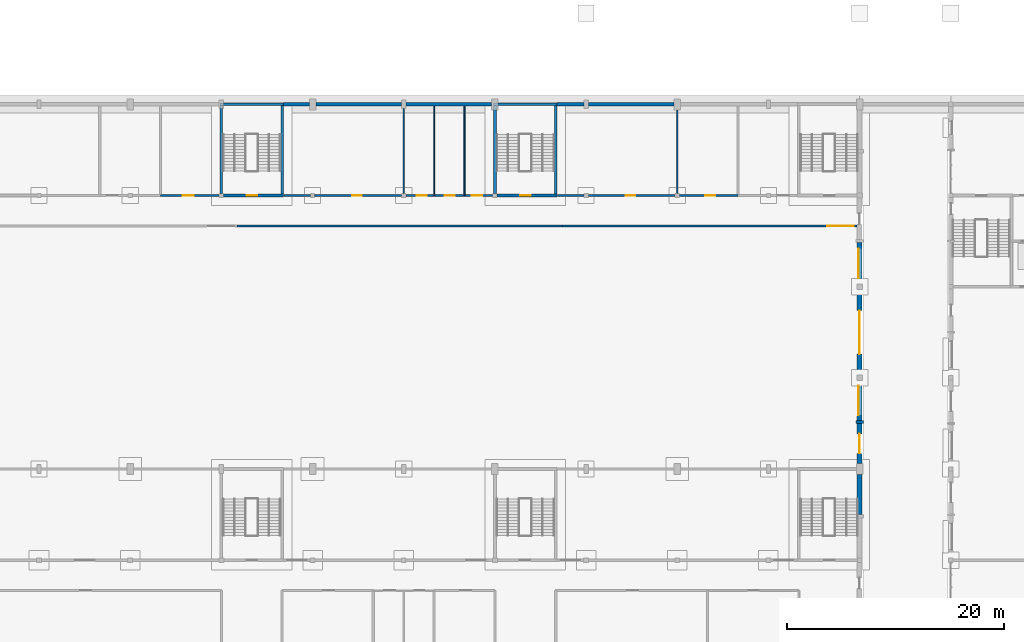
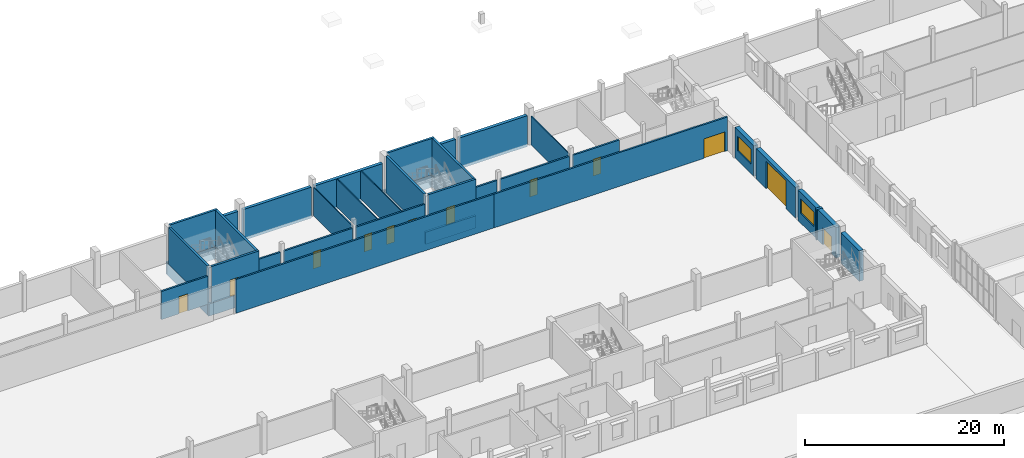
# One storey, part 22 of 36: 40 walls, 12 doors, 2 windows, 14 openings.
"""IFC4 building model written with IfcOpenShell, lengths in metres."""

from ifc_helpers import new_model, si_unit, direction, frame, frame_2d, origin, place, context, subcontext, project, spatial, rectangle, extrude, material, layer, layer_set, type_object, element, fill, save


model = new_model("IFC4")

# Units and contexts
model_context = context("Model", 3, precision=1e-05, world=origin(), true_north=direction((0.0, 1.0)))
body_context = subcontext(model_context, "Body", "Model", "MODEL_VIEW")
ifc_project = project(units=[si_unit("LENGTHUNIT", "METRE"), si_unit("AREAUNIT", "SQUARE_METRE"), si_unit("VOLUMEUNIT", "CUBIC_METRE"), si_unit("PLANEANGLEUNIT", "RADIAN"), si_unit("MASSUNIT", "GRAM", prefix="KILO")], contexts=[model_context])

# Site, building, storey
site_placement = place(None, origin())
site = spatial("IfcSite", under=ifc_project, at=site_placement, CompositionType="ELEMENT")
building_placement = place(site_placement, origin())
building = spatial("IfcBuilding", under=site, at=building_placement, Name="Fescue Hill Polytechnic", CompositionType="ELEMENT")
storey_placement = place(building_placement, origin())
storey = spatial("IfcBuildingStorey", under=building, at=storey_placement, Name="L00", CompositionType="ELEMENT", Elevation=0.0)

# Wall, opening, door
ifc_material_1 = material(Name="Concrete 40 MPa", Category="concrete")
ifc_layer_1 = layer(ifc_material_1, 0.25)
ifc_layer_set_1 = layer_set([ifc_layer_1], Name="Concrete 40 MPa")
wall_type_1 = type_object("IfcWallType", Name="Core wall 250", PredefinedType="SHEAR", material=ifc_layer_set_1)
wall_1_placement = place(storey_placement, frame((59.0, 42.0, 0.0), z_axis=(0.0, 0.0, 1.0), x_axis=(1.0, 0.0, 0.0)))
wall_1 = element("IfcWall", 1, at=wall_1_placement, inside=storey, type_object=wall_type_1, Name="CW-L00-ST-V1-7-11", PredefinedType="SHEAR", context=body_context, shape_type="SweptSolid", body=[
    extrude(rectangle(XDim=5.52490234375, YDim=0.25, at=frame_2d((2.762451171875, 0.0))), origin(), (0.0, 0.0, 1.0), 4.5),
])
opening_1_placement = place(wall_1_placement, frame((2.125, 0.0, 0.0)))
opening_1 = element("IfcOpeningElement", 2, at=opening_1_placement, cuts=wall_1, Name="Opening D0077", PredefinedType="OPENING", context=body_context, shape_type="SweptSolid", body=[
    extrude(rectangle(XDim=1.0, YDim=2.10009765625, at=frame_2d((0.5, 1.050048828125))), frame((0.0, 0.135009765625, 0.0), z_axis=(0.0, -1.0, 0.0), x_axis=(1.0, 0.0, 0.0)), (0.0, 0.0, 1.0), 0.27001953125),
])
ifc_material_2 = material(Name="Steel fire door", Category="steel")
door_type_1 = type_object("IfcDoorType", Name="Door single swing 1000x2100 stair fire rated", OperationType="NOTDEFINED", PredefinedType="DOOR", material=ifc_material_2)
door_1_placement = place(opening_1_placement, origin())
door_1 = element("IfcDoor", 3, at=door_1_placement, inside=storey, type_object=door_type_1, Name="L00 ST-V1-7 stair door", OperationType="SINGLE_SWING_RIGHT", OverallHeight=2.10009765625, OverallWidth=1.0, PredefinedType="DOOR", context=body_context, shape_type="SweptSolid", body=[
    extrude(rectangle(XDim=1.0, YDim=2.10009765625, at=frame_2d((0.5, 1.050048828125))), frame((0.0, 0.02490234375, 0.0), z_axis=(0.0, -1.0, 0.0), x_axis=(1.0, 0.0, 0.0)), (0.0, 0.0, 1.0), 0.050048828125),
])
fill(opening_1, door_1)

# Walls
wall_2_placement = place(storey_placement, frame((59.0, 50.39990234375, 0.0), z_axis=(0.0, 0.0, 1.0), x_axis=(1.0, 0.0, 0.0)))
element("IfcWall", 4, at=wall_2_placement, inside=storey, type_object=wall_type_1, Name="CW-L00-ST-V1-7-21", PredefinedType="SHEAR", context=body_context, shape_type="SweptSolid", body=[
    extrude(rectangle(XDim=5.52490234375, YDim=0.25, at=frame_2d((2.762451171875, 0.0))), origin(), (0.0, 0.0, 1.0), 4.5),
])
wall_3_placement = place(storey_placement, frame((58.800048828125, 42.199951171875, 0.0), z_axis=(0.0, 0.0, 1.0), x_axis=(0.0, 1.0, 0.0)))
element("IfcWall", 5, at=wall_3_placement, inside=storey, type_object=wall_type_1, Name="CW-L00-ST-V1-7-31", PredefinedType="SHEAR", context=body_context, shape_type="SweptSolid", body=[
    extrude(rectangle(XDim=7.800048828125, YDim=0.25, at=frame_2d((3.89990234375, 0.0))), origin(), (0.0, 0.0, 1.0), 4.5),
])
wall_4_placement = place(storey_placement, frame((64.39990234375, 42.125, 0.0), z_axis=(0.0, 0.0, 1.0), x_axis=(0.0, 1.0, 0.0)))
element("IfcWall", 6, at=wall_4_placement, inside=storey, type_object=wall_type_1, Name="CW-L00-ST-V1-7-41", PredefinedType="SHEAR", context=body_context, shape_type="SweptSolid", body=[
    extrude(rectangle(XDim=8.14990234375, YDim=0.25, at=frame_2d((4.074951171875, 0.0))), origin(), (0.0, 0.0, 1.0), 4.5),
])

# Wall, opening, door
wall_5_placement = place(storey_placement, frame((84.199951171875, 42.0, 0.0), z_axis=(0.0, 0.0, 1.0), x_axis=(1.0, 0.0, 0.0)))
wall_5 = element("IfcWall", 7, at=wall_5_placement, inside=storey, type_object=wall_type_1, Name="CW-L00-ST-V1-8-11", PredefinedType="SHEAR", context=body_context, shape_type="SweptSolid", body=[
    extrude(rectangle(XDim=5.525146484375, YDim=0.25, at=frame_2d((2.7626953125, 0.0))), origin(), (0.0, 0.0, 1.0), 4.5),
])
opening_2_placement = place(wall_5_placement, frame((2.125, 0.0, 0.0)))
opening_2 = element("IfcOpeningElement", 8, at=opening_2_placement, cuts=wall_5, Name="Opening D0078", PredefinedType="OPENING", context=body_context, shape_type="SweptSolid", body=[
    extrude(rectangle(XDim=1.0, YDim=2.10009765625, at=frame_2d((0.5, 1.050048828125))), frame((0.0, 0.135009765625, 0.0), z_axis=(0.0, -1.0, 0.0), x_axis=(1.0, 0.0, 0.0)), (0.0, 0.0, 1.0), 0.27001953125),
])
door_2_placement = place(opening_2_placement, origin())
door_2 = element("IfcDoor", 9, at=door_2_placement, inside=storey, type_object=door_type_1, Name="L00 ST-V1-8 stair door", OperationType="SINGLE_SWING_LEFT", OverallHeight=2.10009765625, OverallWidth=1.0, PredefinedType="DOOR", context=body_context, shape_type="SweptSolid", body=[
    extrude(rectangle(XDim=1.0, YDim=2.10009765625, at=frame_2d((0.5, 1.050048828125))), frame((0.0, 0.02490234375, 0.0), z_axis=(0.0, -1.0, 0.0), x_axis=(1.0, 0.0, 0.0)), (0.0, 0.0, 1.0), 0.050048828125),
])
fill(opening_2, door_2)

# Walls
wall_6_placement = place(storey_placement, frame((84.300048828125, 50.39990234375, 0.0), z_axis=(0.0, 0.0, 1.0), x_axis=(1.0, 0.0, 0.0)))
element("IfcWall", 10, at=wall_6_placement, inside=storey, type_object=wall_type_1, Name="CW-L00-ST-V1-8-21", PredefinedType="SHEAR", context=body_context, shape_type="SweptSolid", body=[
    extrude(rectangle(XDim=5.425048828125, YDim=0.25, at=frame_2d((2.71240234375, 0.0))), origin(), (0.0, 0.0, 1.0), 4.5),
])
wall_7_placement = place(storey_placement, frame((84.0, 42.199951171875, 0.0), z_axis=(0.0, 0.0, 1.0), x_axis=(0.0, 1.0, 0.0)))
element("IfcWall", 11, at=wall_7_placement, inside=storey, type_object=wall_type_1, Name="CW-L00-ST-V1-8-31", PredefinedType="SHEAR", context=body_context, shape_type="SweptSolid", body=[
    extrude(rectangle(XDim=7.699951171875, YDim=0.25, at=frame_2d((3.85009765625, 0.0))), origin(), (0.0, 0.0, 1.0), 4.5),
])
wall_8_placement = place(storey_placement, frame((89.60009765625, 42.125, 0.0), z_axis=(0.0, 0.0, 1.0), x_axis=(0.0, 1.0, 0.0)))
element("IfcWall", 12, at=wall_8_placement, inside=storey, type_object=wall_type_1, Name="CW-L00-ST-V1-8-41", PredefinedType="SHEAR", context=body_context, shape_type="SweptSolid", body=[
    extrude(rectangle(XDim=8.14990234375, YDim=0.25, at=frame_2d((4.074951171875, 0.0))), origin(), (0.0, 0.0, 1.0), 4.5),
])
for number, where, z_axis, x_axis, name in (
    (13, (58.675048828125, 42.0, -1.5), (0.0, 0.0, 1.0), (1.0, 0.0, 0.0), "FW-ST-V1-7-1"),
    (14, (58.675048828125, 50.39990234375, -1.5), (0.0, 0.0, 1.0), (1.0, 0.0, 0.0), "FW-ST-V1-7-2"),
):
    element("IfcWall", number, at=place(storey_placement, frame(where, z_axis=z_axis, x_axis=x_axis)), inside=storey, type_object=wall_type_1, Name=name, PredefinedType="SHEAR", context=body_context, shape_type="SweptSolid", body=[
        extrude(rectangle(XDim=5.849853515625, YDim=0.25, at=frame_2d((2.9248046875, 0.0))), origin(), (0.0, 0.0, 1.0), 1.5),
    ])
for number, where, z_axis, x_axis, name in (
    (15, (58.800048828125, 42.125, -1.5), (0.0, 0.0, 1.0), (0.0, 1.0, 0.0), "FW-ST-V1-7-3"),
    (16, (64.39990234375, 42.125, -1.5), (0.0, 0.0, 1.0), (0.0, 1.0, 0.0), "FW-ST-V1-7-4"),
):
    element("IfcWall", number, at=place(storey_placement, frame(where, z_axis=z_axis, x_axis=x_axis)), inside=storey, type_object=wall_type_1, Name=name, PredefinedType="SHEAR", context=body_context, shape_type="SweptSolid", body=[
        extrude(rectangle(XDim=8.14990234375, YDim=0.25, at=frame_2d((4.074951171875, 0.0))), origin(), (0.0, 0.0, 1.0), 1.5),
    ])
for number, where, z_axis, x_axis, name in (
    (17, (83.875, 42.0, -1.5), (0.0, 0.0, 1.0), (1.0, 0.0, 0.0), "FW-ST-V1-8-1"),
    (18, (83.875, 50.39990234375, -1.5), (0.0, 0.0, 1.0), (1.0, 0.0, 0.0), "FW-ST-V1-8-2"),
):
    element("IfcWall", number, at=place(storey_placement, frame(where, z_axis=z_axis, x_axis=x_axis)), inside=storey, type_object=wall_type_1, Name=name, PredefinedType="SHEAR", context=body_context, shape_type="SweptSolid", body=[
        extrude(rectangle(XDim=5.85009765625, YDim=0.25, at=frame_2d((2.925048828125, 0.0))), origin(), (0.0, 0.0, 1.0), 1.5),
    ])
for number, where, z_axis, x_axis, name in (
    (19, (84.0, 42.125, -1.5), (0.0, 0.0, 1.0), (0.0, 1.0, 0.0), "FW-ST-V1-8-3"),
    (20, (89.60009765625, 42.125, -1.5), (0.0, 0.0, 1.0), (0.0, 1.0, 0.0), "FW-ST-V1-8-4"),
):
    element("IfcWall", number, at=place(storey_placement, frame(where, z_axis=z_axis, x_axis=x_axis)), inside=storey, type_object=wall_type_1, Name=name, PredefinedType="SHEAR", context=body_context, shape_type="SweptSolid", body=[
        extrude(rectangle(XDim=8.14990234375, YDim=0.25, at=frame_2d((4.074951171875, 0.0))), origin(), (0.0, 0.0, 1.0), 1.5),
    ])

# Wall, opening, door
ifc_material_3 = material(Name="Clay brick masonry", Category="masonry")
ifc_layer_2 = layer(ifc_material_3, 0.47998046875)
ifc_layer_set_2 = layer_set([ifc_layer_2], Name="Clay brick masonry")
wall_type_2 = type_object("IfcWallType", Name="Exterior wall engineering brick cavity 480", PredefinedType="SOLIDWALL", material=ifc_layer_set_2)
wall_9_placement = place(storey_placement, frame((117.60009765625, 17.300048828125, 0.0), z_axis=(0.0, 0.0, 1.0), x_axis=(0.0, 1.0, 0.0)))
wall_9 = element("IfcWall", 21, at=wall_9_placement, inside=storey, type_object=wall_type_2, Name="EW-L00-V1-5", PredefinedType="SOLIDWALL", context=body_context, shape_type="SweptSolid", body=[
    extrude(rectangle(XDim=3.675048828125, YDim=0.47998046875, at=frame_2d((1.83740234375, 0.0))), origin(), (0.0, 0.0, 1.0), 3.75),
])
opening_3_placement = place(wall_9_placement, frame((0.9375, 0.0, 0.0)))
opening_3 = element("IfcOpeningElement", 22, at=opening_3_placement, cuts=wall_9, Name="Opening D0002", PredefinedType="OPENING", context=body_context, shape_type="SweptSolid", body=[
    extrude(rectangle(XDim=1.800048828125, YDim=2.10009765625, at=frame_2d((0.89990234375, 1.050048828125))), frame((0.0, 0.25, 0.0), z_axis=(0.0, -1.0, 0.0), x_axis=(1.0, 0.0, 0.0)), (0.0, 0.0, 1.0), 0.5),
])
ifc_material_4 = material(Name="Hollow metal")
door_type_2 = type_object("IfcDoorType", Name="Door exit double 1800x2100 fire rated", OperationType="DOUBLE_DOOR_SINGLE_SWING", PredefinedType="DOOR", material=ifc_material_4)
door_3_placement = place(opening_3_placement, origin())
door_3 = element("IfcDoor", 23, at=door_3_placement, inside=storey, type_object=door_type_2, Name="Door D0002", OperationType="SINGLE_SWING_LEFT", OverallHeight=2.10009765625, OverallWidth=1.800048828125, PredefinedType="DOOR", context=body_context, shape_type="SweptSolid", body=[
    extrude(rectangle(XDim=1.800048828125, YDim=2.10009765625, at=frame_2d((0.89990234375, 1.050048828125))), frame((0.0, 0.02490234375, 0.0), z_axis=(0.0, -1.0, 0.0), x_axis=(1.0, 0.0, 0.0)), (0.0, 0.0, 1.0), 0.050048828125),
])
fill(opening_3, door_3)

# Wall, opening, window
wall_10_placement = place(storey_placement, frame((117.60009765625, 21.27490234375, 0.0), z_axis=(0.0, 0.0, 1.0), x_axis=(0.0, 1.0, 0.0)))
wall_10 = element("IfcWall", 24, at=wall_10_placement, inside=storey, type_object=wall_type_2, Name="EW-L00-V1-6", PredefinedType="SOLIDWALL", context=body_context, shape_type="SweptSolid", body=[
    extrude(rectangle(XDim=3.675048828125, YDim=0.47998046875, at=frame_2d((1.83740234375, 0.0))), origin(), (0.0, 0.0, 1.0), 3.75),
])
opening_4_placement = place(wall_10_placement, frame((0.487548828125, 0.0, 1.199951171875)))
opening_4 = element("IfcOpeningElement", 25, at=opening_4_placement, cuts=wall_10, Name="Opening W15", PredefinedType="OPENING", context=body_context, shape_type="SweptSolid", body=[
    extrude(rectangle(XDim=2.699951171875, YDim=1.800048828125, at=frame_2d((1.35009765625, 0.89990234375))), frame((0.0, 0.25, 0.0), z_axis=(0.0, -1.0, 0.0), x_axis=(1.0, 0.0, 0.0)), (0.0, 0.0, 1.0), 0.5),
])
ifc_material_5 = material(Name="Powder-coated aluminium and glass", Category="aluminium")
window_type = type_object("IfcWindowType", Name="Window workshop bench-level 2700x1800", PartitioningType="TRIPLE_PANEL_VERTICAL", PredefinedType="WINDOW", material=ifc_material_5)
window_1_placement = place(opening_4_placement, origin())
window_1 = element("IfcWindow", 26, at=window_1_placement, inside=storey, type_object=window_type, Name="WN-L00-V1-2", OverallHeight=1.800048828125, OverallWidth=2.699951171875, PartitioningType="SINGLE_PANEL", PredefinedType="WINDOW", context=body_context, shape_type="SweptSolid", body=[
    extrude(rectangle(XDim=2.699951171875, YDim=1.800048828125, at=frame_2d((1.35009765625, 0.89990234375))), frame((0.0, 0.1201171875, 0.0), z_axis=(0.0, -1.0, 0.0), x_axis=(1.0, 0.0, 0.0)), (0.0, 0.0, 1.0), 0.06005859375),
])
fill(opening_4, window_1)

# Wall, opening, door
wall_11_placement = place(storey_placement, frame((117.60009765625, 25.449951171875, 0.0), z_axis=(0.0, 0.0, 1.0), x_axis=(0.0, 1.0, 0.0)))
wall_11 = element("IfcWall", 27, at=wall_11_placement, inside=storey, type_object=wall_type_2, Name="EW-L00-V1-7", PredefinedType="SOLIDWALL", context=body_context, shape_type="SweptSolid", body=[
    extrude(rectangle(XDim=7.900146484375, YDim=0.47998046875, at=frame_2d((3.9501953125, 0.0))), origin(), (0.0, 0.0, 1.0), 3.75),
])
opening_5_placement = place(wall_11_placement, frame((1.949951171875, 0.0, 0.0)))
opening_5 = element("IfcOpeningElement", 28, at=opening_5_placement, cuts=wall_11, Name="Opening D0003", PredefinedType="OPENING", context=body_context, shape_type="SweptSolid", body=[
    extrude(rectangle(XDim=4.0, YDim=3.39990234375, at=frame_2d((2.0, 1.699951171875))), frame((0.0, 0.25, 0.0), z_axis=(0.0, -1.0, 0.0), x_axis=(1.0, 0.0, 0.0)), (0.0, 0.0, 1.0), 0.5),
])
ifc_material_6 = material(Name="Galvanised slats")
door_type_3 = type_object("IfcDoorType", Name="Roller shutter 4000x3400", OperationType="ROLLINGUP", PredefinedType="DOOR", material=ifc_material_6)
door_4_placement = place(opening_5_placement, origin())
door_4 = element("IfcDoor", 29, at=door_4_placement, inside=storey, type_object=door_type_3, Name="Door D0003", OperationType="SINGLE_SWING_LEFT", OverallHeight=3.39990234375, OverallWidth=4.0, PredefinedType="DOOR", context=body_context, shape_type="SweptSolid", body=[
    extrude(rectangle(XDim=4.0, YDim=3.39990234375, at=frame_2d((2.0, 1.699951171875))), frame((0.0, 0.02490234375, 0.0), z_axis=(0.0, -1.0, 0.0), x_axis=(1.0, 0.0, 0.0)), (0.0, 0.0, 1.0), 0.050048828125),
])
fill(opening_5, door_4)

# Wall, opening, window
wall_12_placement = place(storey_placement, frame((117.60009765625, 33.85009765625, 0.0), z_axis=(0.0, 0.0, 1.0), x_axis=(0.0, 1.0, 0.0)))
wall_12 = element("IfcWall", 30, at=wall_12_placement, inside=storey, type_object=wall_type_2, Name="EW-L00-V1-8", PredefinedType="SOLIDWALL", context=body_context, shape_type="SweptSolid", body=[
    extrude(rectangle(XDim=3.7998046875, YDim=0.47998046875, at=frame_2d((1.89990234375, 0.0))), origin(), (0.0, 0.0, 1.0), 3.75),
])
opening_6_placement = place(wall_12_placement, frame((0.550048828125, 0.0, 1.199951171875)))
opening_6 = element("IfcOpeningElement", 31, at=opening_6_placement, cuts=wall_12, Name="Opening W15", PredefinedType="OPENING", context=body_context, shape_type="SweptSolid", body=[
    extrude(rectangle(XDim=2.699951171875, YDim=1.800048828125, at=frame_2d((1.35009765625, 0.89990234375))), frame((0.0, 0.25, 0.0), z_axis=(0.0, -1.0, 0.0), x_axis=(1.0, 0.0, 0.0)), (0.0, 0.0, 1.0), 0.5),
])
window_2_placement = place(opening_6_placement, origin())
window_2 = element("IfcWindow", 32, at=window_2_placement, inside=storey, type_object=window_type, Name="WN-L00-V1-3", OverallHeight=1.800048828125, OverallWidth=2.699951171875, PartitioningType="SINGLE_PANEL", PredefinedType="WINDOW", context=body_context, shape_type="SweptSolid", body=[
    extrude(rectangle(XDim=2.699951171875, YDim=1.800048828125, at=frame_2d((1.35009765625, 0.89990234375))), frame((0.0, 0.1201171875, 0.0), z_axis=(0.0, -1.0, 0.0), x_axis=(1.0, 0.0, 0.0)), (0.0, 0.0, 1.0), 0.06005859375),
])
fill(opening_6, window_2)

# Walls
ifc_layer_3 = layer(ifc_material_3, 0.47998046875)
ifc_layer_set_3 = layer_set([ifc_layer_3], Name="Clay brick masonry")
wall_type_3 = type_object("IfcWallType", Name="Exterior wall engineering brick cavity 480 load-bearing", PredefinedType="SOLIDWALL", material=ifc_layer_set_3)
wall_13_placement = place(storey_placement, frame((117.60009765625, 12.60009765625, 0.0), z_axis=(0.0, 0.0, 1.0), x_axis=(0.0, 1.0, 0.0)))
element("IfcWall", 33, at=wall_13_placement, inside=storey, type_object=wall_type_3, Name="EW-L00-V1-4", PredefinedType="SOLIDWALL", context=body_context, shape_type="SweptSolid", body=[
    extrude(rectangle(XDim=3.699951171875, YDim=0.47998046875, at=frame_2d((1.85009765625, 0.0))), origin(), (0.0, 0.0, 1.0), 3.75),
])
ifc_layer_4 = layer(ifc_material_1, 0.699951171875)
ifc_layer_set_4 = layer_set([ifc_layer_4], Name="Concrete 40 MPa")
wall_type_4 = type_object("IfcWallType", Name="Fin wall board-marked 300x700", PredefinedType="SOLIDWALL", material=ifc_layer_set_4)
wall_14_placement = place(storey_placement, frame((117.60009765625, 20.97509765625, 0.0), z_axis=(0.0, 0.0, 1.0), x_axis=(0.0, 1.0, 0.0)))
element("IfcWall", 34, at=wall_14_placement, inside=storey, type_object=wall_type_4, Name="PR-L00-V1-3", PredefinedType="SOLIDWALL", context=body_context, shape_type="SweptSolid", body=[
    extrude(rectangle(XDim=0.2998046875, YDim=0.699951171875, at=frame_2d((0.14990234375, 0.0))), origin(), (0.0, 0.0, 1.0), 3.75),
])
ifc_material_7 = material(Name="Concrete 35 MPa", Category="concrete")
ifc_layer_5 = layer(ifc_material_7, 0.35009765625)
ifc_layer_set_5 = layer_set([ifc_layer_5], Name="Concrete 35 MPa")
wall_type_5 = type_object("IfcWallType", Name="Retaining wall 350", PredefinedType="SOLIDWALL", material=ifc_layer_set_5)
for number, where, z_axis, x_axis, name in (
    (35, (100.5, 50.39990234375, -0.35009765625), (0.0, 0.0, 1.0), (-1.0, 0.0, 0.0), "RE-L00-V1-3"),
    (36, (83.699951171875, 50.39990234375, -0.35009765625), (0.0, 0.0, 1.0), (-1.0, 0.0, 0.0), "RE-L00-V1-5"),
    (37, (75.39990234375, 50.39990234375, -0.35009765625), (0.0, 0.0, 1.0), (-1.0, 0.0, 0.0), "RE-L00-V1-6"),
):
    element("IfcWall", number, at=place(storey_placement, frame(where, z_axis=z_axis, x_axis=x_axis)), inside=storey, type_object=wall_type_5, Name=name, PredefinedType="SOLIDWALL", context=body_context, shape_type="SweptSolid", body=[
        extrude(rectangle(XDim=7.89990234375, YDim=0.35009765625, at=frame_2d((3.949951171875, 0.0))), origin(), (0.0, 0.0, 1.0), 3.800048828125),
    ])
wall_15_placement = place(storey_placement, frame((66.89990234375, 50.39990234375, -0.35009765625), z_axis=(0.0, 0.0, 1.0), x_axis=(-1.0, 0.0, 0.0)))
element("IfcWall", 38, at=wall_15_placement, inside=storey, type_object=wall_type_5, Name="RE-L00-V1-7", PredefinedType="SOLIDWALL", context=body_context, shape_type="SweptSolid", body=[
    extrude(rectangle(XDim=2.375, YDim=0.35009765625, at=frame_2d((1.1875, 0.0))), origin(), (0.0, 0.0, 1.0), 3.800048828125),
])
wall_16_placement = place(storey_placement, frame((92.199951171875, 50.39990234375, -0.35009765625), z_axis=(0.0, 0.0, 1.0), x_axis=(-1.0, 0.0, 0.0)))
element("IfcWall", 39, at=wall_16_placement, inside=storey, type_object=wall_type_5, Name="RE-L00-V1-4", PredefinedType="SOLIDWALL", context=body_context, shape_type="SweptSolid", body=[
    extrude(rectangle(XDim=2.474853515625, YDim=0.35009765625, at=frame_2d((1.2373046875, 0.0))), origin(), (0.0, 0.0, 1.0), 3.800048828125),
])
ifc_material_8 = material(Name="Gypsum board partition")
ifc_layer_6 = layer(ifc_material_8, 0.10009765625)
ifc_layer_set_6 = layer_set([ifc_layer_6], Name="Gypsum board partition")
wall_type_6 = type_object("IfcWallType", Name="WC partition 100 moisture resistant", PredefinedType="PARTITIONING", material=ifc_layer_set_6)
wall_17_placement = place(storey_placement, frame((75.60009765625, 42.199951171875, 0.0), z_axis=(0.0, 0.0, 1.0), x_axis=(0.0, 1.0, 0.0)))
element("IfcWall", 40, at=wall_17_placement, inside=storey, type_object=wall_type_6, Name="IW-L00-083", PredefinedType="PARTITIONING", context=body_context, shape_type="SweptSolid", body=[
    extrude(rectangle(XDim=7.800048828125, YDim=0.10009765625, at=frame_2d((3.89990234375, 0.0))), origin(), (0.0, 0.0, 1.0), 3.5),
])
for number, where, z_axis, x_axis, name in (
    (41, (78.39990234375, 42.0, 0.0), (0.0, 0.0, 1.0), (0.0, 1.0, 0.0), "IW-L00-084"),
    (42, (81.199951171875, 42.0, 0.0), (0.0, 0.0, 1.0), (0.0, 1.0, 0.0), "IW-L00-086"),
):
    element("IfcWall", number, at=place(storey_placement, frame(where, z_axis=z_axis, x_axis=x_axis)), inside=storey, type_object=wall_type_6, Name=name, PredefinedType="PARTITIONING", context=body_context, shape_type="SweptSolid", body=[
        extrude(rectangle(XDim=8.22509765625, YDim=0.10009765625, at=frame_2d((4.112548828125, 0.0))), origin(), (0.0, 0.0, 1.0), 3.449951171875),
    ])
wall_18_placement = place(storey_placement, frame((100.800048828125, 42.199951171875, 0.0), z_axis=(0.0, 0.0, 1.0), x_axis=(0.0, 1.0, 0.0)))
element("IfcWall", 43, at=wall_18_placement, inside=storey, type_object=wall_type_6, Name="IW-L00-089", PredefinedType="PARTITIONING", context=body_context, shape_type="SweptSolid", body=[
    extrude(rectangle(XDim=7.699951171875, YDim=0.10009765625, at=frame_2d((3.85009765625, 0.0))), origin(), (0.0, 0.0, 1.0), 3.5),
])
ifc_material_9 = material(Name="Concrete masonry block 15 MPa", Category="masonry")
ifc_layer_7 = layer(ifc_material_9, 0.199951171875)
ifc_layer_set_7 = layer_set([ifc_layer_7], Name="Concrete masonry block 15 MPa")
wall_type_7 = type_object("IfcWallType", Name="Workshop wall 200 block EI 60", PredefinedType="PARTITIONING", material=ifc_layer_set_7)
wall_19_placement = place(storey_placement, frame((60.239990234375, 39.199951171875, 0.0), z_axis=(0.0, 0.0, 1.0), x_axis=(1.0, 0.0, 0.0)))
element("IfcWall", 44, at=wall_19_placement, inside=storey, type_object=wall_type_7, Name="IW-L00-045", PredefinedType="PARTITIONING", context=body_context, shape_type="SweptSolid", body=[
    extrude(rectangle(XDim=30.0, YDim=0.199951171875, at=frame_2d((15.0, 0.0))), origin(), (0.0, 0.0, 1.0), 4.14990234375),
])

# Wall, opening, door
wall_20_placement = place(storey_placement, frame((90.239990234375, 39.199951171875, 0.0), z_axis=(0.0, 0.0, 1.0), x_axis=(1.0, 0.0, 0.0)))
wall_20 = element("IfcWall", 45, at=wall_20_placement, inside=storey, type_object=wall_type_7, Name="IW-L00-046", PredefinedType="PARTITIONING", context=body_context, shape_type="SweptSolid", body=[
    extrude(rectangle(XDim=27.1201171875, YDim=0.199951171875, at=frame_2d((13.56005859375, 0.0))), origin(), (0.0, 0.0, 1.0), 4.14990234375),
])
opening_7_placement = place(wall_20_placement, frame((24.39990234375, 0.0, 0.0)))
opening_7 = element("IfcOpeningElement", 46, at=opening_7_placement, cuts=wall_20, Name="Opening D0047", PredefinedType="OPENING", context=body_context, shape_type="SweptSolid", body=[
    extrude(rectangle(XDim=2.39990234375, YDim=2.39990234375, at=frame_2d((1.199951171875, 1.199951171875))), frame((0.0, 0.10986328125, 0.0), z_axis=(0.0, -1.0, 0.0), x_axis=(1.0, 0.0, 0.0)), (0.0, 0.0, 1.0), 0.219970703125),
])
ifc_material_10 = material(Name="Steel", Category="steel")
door_type_4 = type_object("IfcDoorType", Name="Door double swing 2400x2400 FD60 equipment", OperationType="DOUBLE_DOOR_SINGLE_SWING", PredefinedType="DOOR", material=ifc_material_10)
door_5_placement = place(opening_7_placement, origin())
door_5 = element("IfcDoor", 47, at=door_5_placement, inside=storey, type_object=door_type_4, Name="Door D0047", OperationType="DOUBLE_DOOR_SINGLE_SWING", OverallHeight=2.39990234375, OverallWidth=2.39990234375, PredefinedType="DOOR", context=body_context, shape_type="SweptSolid", body=[
    extrude(rectangle(XDim=2.39990234375, YDim=2.39990234375, at=frame_2d((1.199951171875, 1.199951171875))), frame((0.0, 0.02490234375, 0.0), z_axis=(0.0, -1.0, 0.0), x_axis=(1.0, 0.0, 0.0)), (0.0, 0.0, 1.0), 0.050048828125),
])
fill(opening_7, door_5)

wall_21_placement = place(storey_placement, frame((53.199951171875, 42.0, 0.0), z_axis=(0.0, 0.0, 1.0), x_axis=(1.0, 0.0, 0.0)))
wall_21 = element("IfcWall", 48, at=wall_21_placement, inside=storey, type_object=wall_type_7, Name="IW-L00-062", PredefinedType="PARTITIONING", context=body_context, shape_type="SweptSolid", body=[
    extrude(rectangle(XDim=5.400146484375, YDim=0.199951171875, at=frame_2d((2.7001953125, 0.0))), origin(), (0.0, 0.0, 1.0), 3.449951171875),
])
opening_8_placement = place(wall_21_placement, frame((2.050048828125, 0.0, 0.0)))
opening_8 = element("IfcOpeningElement", 49, at=opening_8_placement, cuts=wall_21, Name="Opening D0054", PredefinedType="OPENING", context=body_context, shape_type="SweptSolid", body=[
    extrude(rectangle(XDim=1.0, YDim=2.10009765625, at=frame_2d((0.5, 1.050048828125))), frame((0.0, 0.10986328125, 0.0), z_axis=(0.0, -1.0, 0.0), x_axis=(1.0, 0.0, 0.0)), (0.0, 0.0, 1.0), 0.219970703125),
])
door_type_5 = type_object("IfcDoorType", Name="Door single swing 1000x2100 FD60", OperationType="SINGLE_SWING_LEFT", PredefinedType="DOOR", material=ifc_material_10)
door_6_placement = place(opening_8_placement, origin())
door_6 = element("IfcDoor", 50, at=door_6_placement, inside=storey, type_object=door_type_5, Name="Door D0054", OperationType="SINGLE_SWING_LEFT", OverallHeight=2.10009765625, OverallWidth=1.0, PredefinedType="DOOR", context=body_context, shape_type="SweptSolid", body=[
    extrude(rectangle(XDim=1.0, YDim=2.10009765625, at=frame_2d((0.5, 1.050048828125))), frame((0.0, 0.02490234375, 0.0), z_axis=(0.0, -1.0, 0.0), x_axis=(1.0, 0.0, 0.0)), (0.0, 0.0, 1.0), 0.050048828125),
])
fill(opening_8, door_6)

# Wall
wall_22_placement = place(storey_placement, frame((64.550048828125, 42.0, 0.0), z_axis=(0.0, 0.0, 1.0), x_axis=(1.0, 0.0, 0.0)))
element("IfcWall", 51, at=wall_22_placement, inside=storey, type_object=wall_type_7, Name="IW-L00-063", PredefinedType="PARTITIONING", context=body_context, shape_type="SweptSolid", body=[
    extrude(rectangle(XDim=2.449951171875, YDim=0.199951171875, at=frame_2d((1.22509765625, 0.0))), origin(), (0.0, 0.0, 1.0), 3.449951171875),
])

# Wall, opening, door
wall_23_placement = place(storey_placement, frame((67.39990234375, 42.0, 0.0), z_axis=(0.0, 0.0, 1.0), x_axis=(1.0, 0.0, 0.0)))
wall_23 = element("IfcWall", 52, at=wall_23_placement, inside=storey, type_object=wall_type_7, Name="IW-L00-064", PredefinedType="PARTITIONING", context=body_context, shape_type="SweptSolid", body=[
    extrude(rectangle(XDim=8.0, YDim=0.199951171875, at=frame_2d((4.0, 0.0))), origin(), (0.0, 0.0, 1.0), 3.449951171875),
])
opening_9_placement = place(wall_23_placement, frame((3.449951171875, 0.0, 0.0)))
opening_9 = element("IfcOpeningElement", 53, at=opening_9_placement, cuts=wall_23, Name="Opening D0055", PredefinedType="OPENING", context=body_context, shape_type="SweptSolid", body=[
    extrude(rectangle(XDim=0.89990234375, YDim=2.10009765625, at=frame_2d((0.449951171875, 1.050048828125))), frame((0.0, 0.10986328125, 0.0), z_axis=(0.0, -1.0, 0.0), x_axis=(1.0, 0.0, 0.0)), (0.0, 0.0, 1.0), 0.219970703125),
])
door_type_6 = type_object("IfcDoorType", Name="Door single swing 900x2100 FD60", OperationType="SINGLE_SWING_LEFT", PredefinedType="DOOR", material=ifc_material_10)
door_7_placement = place(opening_9_placement, origin())
door_7 = element("IfcDoor", 54, at=door_7_placement, inside=storey, type_object=door_type_6, Name="Door D0055", OperationType="SINGLE_SWING_LEFT", OverallHeight=2.10009765625, OverallWidth=0.89990234375, PredefinedType="DOOR", context=body_context, shape_type="SweptSolid", body=[
    extrude(rectangle(XDim=0.89990234375, YDim=2.10009765625, at=frame_2d((0.449951171875, 1.050048828125))), frame((0.0, 0.02490234375, 0.0), z_axis=(0.0, -1.0, 0.0), x_axis=(1.0, 0.0, 0.0)), (0.0, 0.0, 1.0), 0.050048828125),
])
fill(opening_9, door_7)

# Wall, openings, doors
wall_24_placement = place(storey_placement, frame((75.800048828125, 42.0, 0.0), z_axis=(0.0, 0.0, 1.0), x_axis=(1.0, 0.0, 0.0)))
wall_24 = element("IfcWall", 55, at=wall_24_placement, inside=storey, type_object=wall_type_7, Name="IW-L00-065", PredefinedType="PARTITIONING", context=body_context, shape_type="SweptSolid", body=[
    extrude(rectangle(XDim=8.0, YDim=0.199951171875, at=frame_2d((4.0, 0.0))), origin(), (0.0, 0.0, 1.0), 3.449951171875),
])
opening_10_placement = place(wall_24_placement, frame((1.0, 0.0, 0.0)))
opening_10 = element("IfcOpeningElement", 56, at=opening_10_placement, cuts=wall_24, Name="Opening D0056", PredefinedType="OPENING", context=body_context, shape_type="SweptSolid", body=[
    extrude(rectangle(XDim=0.89990234375, YDim=2.10009765625, at=frame_2d((0.449951171875, 1.050048828125))), frame((0.0, 0.10986328125, 0.0), z_axis=(0.0, -1.0, 0.0), x_axis=(1.0, 0.0, 0.0)), (0.0, 0.0, 1.0), 0.219970703125),
])
opening_11_placement = place(wall_24_placement, frame((3.60009765625, 0.0, 0.0)))
opening_11 = element("IfcOpeningElement", 57, at=opening_11_placement, cuts=wall_24, Name="Opening D0057", PredefinedType="OPENING", context=body_context, shape_type="SweptSolid", body=[
    extrude(rectangle(XDim=0.89990234375, YDim=2.10009765625, at=frame_2d((0.449951171875, 1.050048828125))), frame((0.0, 0.10986328125, 0.0), z_axis=(0.0, -1.0, 0.0), x_axis=(1.0, 0.0, 0.0)), (0.0, 0.0, 1.0), 0.219970703125),
])
opening_12_placement = place(wall_24_placement, frame((6.050048828125, 0.0, 0.0)))
opening_12 = element("IfcOpeningElement", 58, at=opening_12_placement, cuts=wall_24, Name="Opening D0058", PredefinedType="OPENING", context=body_context, shape_type="SweptSolid", body=[
    extrude(rectangle(XDim=1.0, YDim=2.10009765625, at=frame_2d((0.5, 1.050048828125))), frame((0.0, 0.10986328125, 0.0), z_axis=(0.0, -1.0, 0.0), x_axis=(1.0, 0.0, 0.0)), (0.0, 0.0, 1.0), 0.219970703125),
])
door_8_placement = place(opening_12_placement, origin())
door_8 = element("IfcDoor", 59, at=door_8_placement, inside=storey, type_object=door_type_5, Name="Door D0058", OperationType="SINGLE_SWING_RIGHT", OverallHeight=2.10009765625, OverallWidth=1.0, PredefinedType="DOOR", context=body_context, shape_type="SweptSolid", body=[
    extrude(rectangle(XDim=1.0, YDim=2.10009765625, at=frame_2d((0.5, 1.050048828125))), frame((0.0, 0.02490234375, 0.0), z_axis=(0.0, -1.0, 0.0), x_axis=(1.0, 0.0, 0.0)), (0.0, 0.0, 1.0), 0.050048828125),
])
fill(opening_12, door_8)
door_9_placement = place(opening_10_placement, origin())
door_9 = element("IfcDoor", 60, at=door_9_placement, inside=storey, type_object=door_type_6, Name="Door D0056", OperationType="SINGLE_SWING_LEFT", OverallHeight=2.10009765625, OverallWidth=0.89990234375, PredefinedType="DOOR", context=body_context, shape_type="SweptSolid", body=[
    extrude(rectangle(XDim=0.89990234375, YDim=2.10009765625, at=frame_2d((0.449951171875, 1.050048828125))), frame((0.0, 0.02490234375, 0.0), z_axis=(0.0, -1.0, 0.0), x_axis=(1.0, 0.0, 0.0)), (0.0, 0.0, 1.0), 0.050048828125),
])
fill(opening_10, door_9)
door_10_placement = place(opening_11_placement, origin())
door_10 = element("IfcDoor", 61, at=door_10_placement, inside=storey, type_object=door_type_6, Name="Door D0057", OperationType="SINGLE_SWING_RIGHT", OverallHeight=2.10009765625, OverallWidth=0.89990234375, PredefinedType="DOOR", context=body_context, shape_type="SweptSolid", body=[
    extrude(rectangle(XDim=0.89990234375, YDim=2.10009765625, at=frame_2d((0.449951171875, 1.050048828125))), frame((0.0, 0.02490234375, 0.0), z_axis=(0.0, -1.0, 0.0), x_axis=(1.0, 0.0, 0.0)), (0.0, 0.0, 1.0), 0.050048828125),
])
fill(opening_11, door_10)

# Wall
wall_25_placement = place(storey_placement, frame((89.75, 42.0, 0.0), z_axis=(0.0, 0.0, 1.0), x_axis=(1.0, 0.0, 0.0)))
element("IfcWall", 62, at=wall_25_placement, inside=storey, type_object=wall_type_7, Name="IW-L00-066", PredefinedType="PARTITIONING", context=body_context, shape_type="SweptSolid", body=[
    extrude(rectangle(XDim=2.449951171875, YDim=0.199951171875, at=frame_2d((1.22509765625, 0.0))), origin(), (0.0, 0.0, 1.0), 3.449951171875),
])

# Wall, opening, door
wall_26_placement = place(storey_placement, frame((92.60009765625, 42.0, 0.0), z_axis=(0.0, 0.0, 1.0), x_axis=(1.0, 0.0, 0.0)))
wall_26 = element("IfcWall", 63, at=wall_26_placement, inside=storey, type_object=wall_type_7, Name="IW-L00-067", PredefinedType="PARTITIONING", context=body_context, shape_type="SweptSolid", body=[
    extrude(rectangle(XDim=8.0, YDim=0.199951171875, at=frame_2d((4.0, 0.0))), origin(), (0.0, 0.0, 1.0), 3.449951171875),
])
opening_13_placement = place(wall_26_placement, frame((3.449951171875, 0.0, 0.0)))
opening_13 = element("IfcOpeningElement", 64, at=opening_13_placement, cuts=wall_26, Name="Opening D0059", PredefinedType="OPENING", context=body_context, shape_type="SweptSolid", body=[
    extrude(rectangle(XDim=0.89990234375, YDim=2.10009765625, at=frame_2d((0.449951171875, 1.050048828125))), frame((0.0, 0.10986328125, 0.0), z_axis=(0.0, -1.0, 0.0), x_axis=(1.0, 0.0, 0.0)), (0.0, 0.0, 1.0), 0.219970703125),
])
door_11_placement = place(opening_13_placement, origin())
door_11 = element("IfcDoor", 65, at=door_11_placement, inside=storey, type_object=door_type_6, Name="Door D0059", OperationType="SINGLE_SWING_LEFT", OverallHeight=2.10009765625, OverallWidth=0.89990234375, PredefinedType="DOOR", context=body_context, shape_type="SweptSolid", body=[
    extrude(rectangle(XDim=0.89990234375, YDim=2.10009765625, at=frame_2d((0.449951171875, 1.050048828125))), frame((0.0, 0.02490234375, 0.0), z_axis=(0.0, -1.0, 0.0), x_axis=(1.0, 0.0, 0.0)), (0.0, 0.0, 1.0), 0.050048828125),
])
fill(opening_13, door_11)

wall_27_placement = place(storey_placement, frame((101.0, 42.0, 0.0), z_axis=(0.0, 0.0, 1.0), x_axis=(1.0, 0.0, 0.0)))
wall_27 = element("IfcWall", 66, at=wall_27_placement, inside=storey, type_object=wall_type_7, Name="IW-L00-068", PredefinedType="PARTITIONING", context=body_context, shape_type="SweptSolid", body=[
    extrude(rectangle(XDim=5.39990234375, YDim=0.199951171875, at=frame_2d((2.699951171875, 0.0))), origin(), (0.0, 0.0, 1.0), 3.449951171875),
])
opening_14_placement = place(wall_27_placement, frame((2.39990234375, 0.0, 0.0)))
opening_14 = element("IfcOpeningElement", 67, at=opening_14_placement, cuts=wall_27, Name="Opening D0060", PredefinedType="OPENING", context=body_context, shape_type="SweptSolid", body=[
    extrude(rectangle(XDim=0.89990234375, YDim=2.10009765625, at=frame_2d((0.449951171875, 1.050048828125))), frame((0.0, 0.10986328125, 0.0), z_axis=(0.0, -1.0, 0.0), x_axis=(1.0, 0.0, 0.0)), (0.0, 0.0, 1.0), 0.219970703125),
])
door_12_placement = place(opening_14_placement, origin())
door_12 = element("IfcDoor", 68, at=door_12_placement, inside=storey, type_object=door_type_6, Name="Door D0060", OperationType="SINGLE_SWING_RIGHT", OverallHeight=2.10009765625, OverallWidth=0.89990234375, PredefinedType="DOOR", context=body_context, shape_type="SweptSolid", body=[
    extrude(rectangle(XDim=0.89990234375, YDim=2.10009765625, at=frame_2d((0.449951171875, 1.050048828125))), frame((0.0, 0.02490234375, 0.0), z_axis=(0.0, -1.0, 0.0), x_axis=(1.0, 0.0, 0.0)), (0.0, 0.0, 1.0), 0.050048828125),
])
fill(opening_14, door_12)

save(model, "model.ifc")
